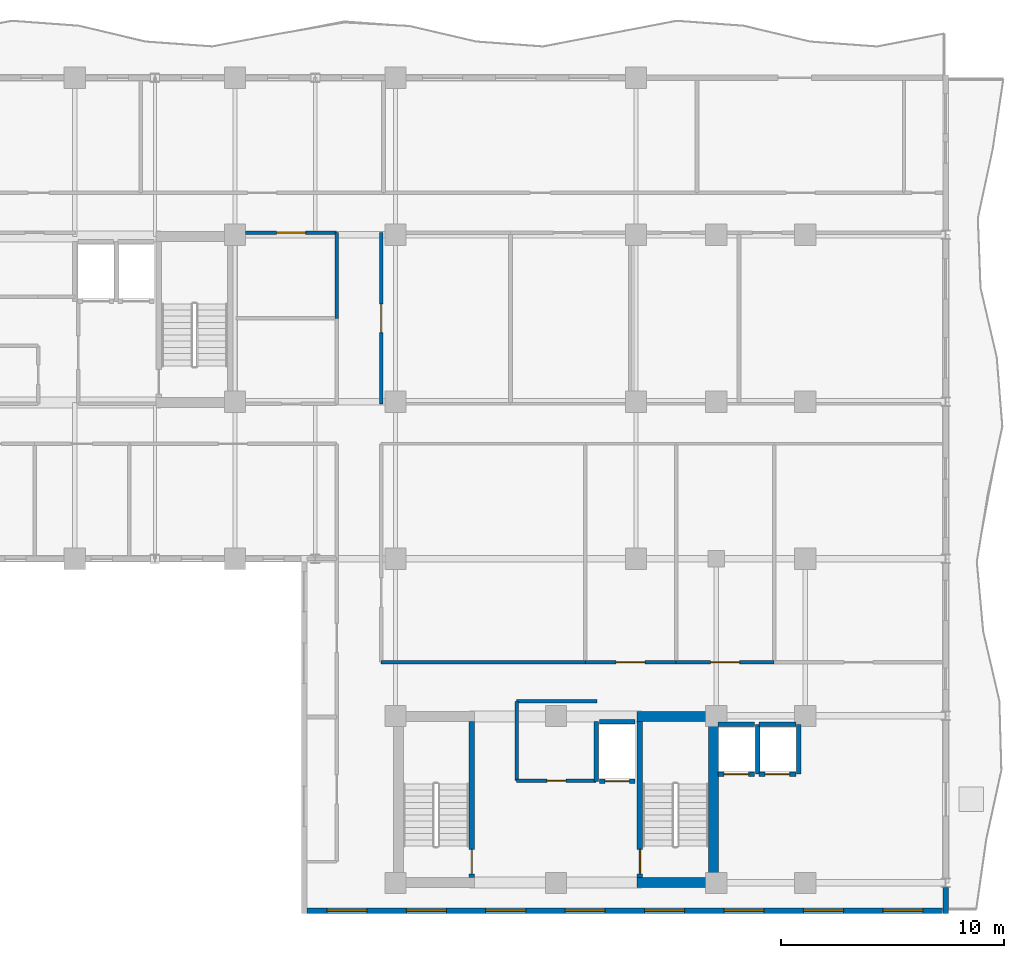
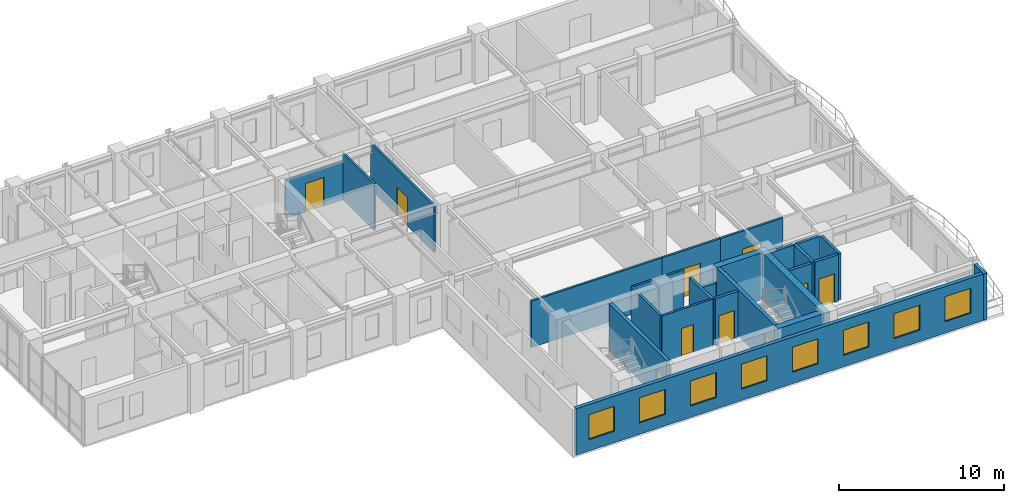
# One storey, part 14 of 20: 25 walls, 10 doors, 8 windows, 18 openings.
"""IFC4 building model written with IfcOpenShell, lengths in metres."""

from ifc_helpers import new_model, si_unit, direction, frame, frame_2d, origin, place, context, subcontext, project, spatial, rectangle, extrude, material, layer, layer_set, type_object, element, fill, save


model = new_model("IFC4")

# Units and contexts
model_context = context("Model", 3, precision=1e-05, world=origin(), true_north=direction((0.0, 1.0)))
body_context = subcontext(model_context, "Body", "Model", "MODEL_VIEW")
ifc_project = project(units=[si_unit("LENGTHUNIT", "METRE"), si_unit("AREAUNIT", "SQUARE_METRE"), si_unit("VOLUMEUNIT", "CUBIC_METRE"), si_unit("PLANEANGLEUNIT", "RADIAN"), si_unit("MASSUNIT", "GRAM", prefix="KILO")], contexts=[model_context])

# Site, building, storey
site_placement = place(None, origin())
site = spatial("IfcSite", under=ifc_project, at=site_placement, CompositionType="ELEMENT")
building_placement = place(site_placement, origin())
building = spatial("IfcBuilding", under=site, at=building_placement, Name="Kaliganga Portal Commons", CompositionType="ELEMENT")
storey_placement = place(building_placement, frame((0.0, 0.0, 201.800048828125)))
storey = spatial("IfcBuildingStorey", under=building, at=storey_placement, Name="L51", CompositionType="ELEMENT", Elevation=201.800048828125)

# Walls
ifc_material_1 = material(Name="Concrete C60/75", Category="concrete")
ifc_layer_1 = layer(ifc_material_1, 0.449951171875)
ifc_layer_set_1 = layer_set([ifc_layer_1], Name="Concrete C60/75")
wall_type_1 = type_object("IfcWallType", Name="WL-CORE-450", PredefinedType="SHEAR", material=ifc_layer_set_1)
wall_1_placement = place(storey_placement, frame((50.27490234375, 6.85009765625, 0.0), z_axis=(0.0, 0.0, 1.0), x_axis=(0.0, 1.0, 0.0)))
element("IfcWall", 1, at=wall_1_placement, inside=storey, type_object=wall_type_1, Name="Core B East Shear Wall L51", PredefinedType="SHEAR", context=body_context, shape_type="SweptSolid", body=[
    extrude(rectangle(XDim=7.89990234375, YDim=0.449951171875, at=frame_2d((3.949951171875, 0.0))), origin(), (0.0, 0.0, 1.0), 3.469970703125),
])
for number, where, z_axis, x_axis, name in (
    (2, (46.85009765625, 7.074951171875, 0.0), (0.0, 0.0, 1.0), (1.0, 0.0, 0.0), "Core B S-East Shear Wall L51"),
    (3, (46.85009765625, 14.52490234375, 0.0), (0.0, 0.0, 1.0), (1.0, 0.0, 0.0), "Core B N-East Shear Wall L51"),
):
    element("IfcWall", number, at=place(storey_placement, frame(where, z_axis=z_axis, x_axis=x_axis)), inside=storey, type_object=wall_type_1, Name=name, PredefinedType="SHEAR", context=body_context, shape_type="SweptSolid", body=[
        extrude(rectangle(XDim=3.199951171875, YDim=0.449951171875, at=frame_2d((1.60009765625, 0.0))), origin(), (0.0, 0.0, 1.0), 3.469970703125),
    ])

# Wall, openings, windows
ifc_material_2 = material(Name="Insulated Aluminium-Clad Spandrel Assembly", Category="aluminium")
ifc_layer_2 = layer(ifc_material_2, 0.260009765625)
ifc_layer_set_2 = layer_set([ifc_layer_2], Name="Insulated Aluminium-Clad Spandrel Assembly")
wall_type_2 = type_object("IfcWallType", Name="WL-EXT-SPAND-260", PredefinedType="STANDARD", material=ifc_layer_set_2)
wall_2_placement = place(storey_placement, frame((60.56494140625, 5.800048828125, 0.0), z_axis=(0.0, 0.0, 1.0), x_axis=(-1.0, 0.0, 0.0)))
wall_2 = element("IfcWall", 4, at=wall_2_placement, inside=storey, type_object=wall_type_2, Name="Exterior Envelope Wall L51 P1-E00-S1", PredefinedType="STANDARD", context=body_context, shape_type="SweptSolid", body=[
    extrude(rectangle(XDim=28.530029296875, YDim=0.260009765625, at=frame_2d((14.26513671875, 0.0))), origin(), (0.0, 0.0, 1.0), 3.449951171875),
])
opening_1_placement = place(wall_2_placement, frame((0.883056640625, 0.0, 0.85009765625)))
opening_1 = element("IfcOpeningElement", 5, at=opening_1_placement, cuts=wall_2, Name="Opening W-01", PredefinedType="OPENING", context=body_context, shape_type="SweptSolid", body=[
    extrude(rectangle(XDim=1.800048828125, YDim=1.85009765625, at=frame_2d((0.89990234375, 0.925048828125))), frame((0.0, 0.14013671875, 0.0), z_axis=(0.0, -1.0, 0.0), x_axis=(1.0, 0.0, 0.0)), (0.0, 0.0, 1.0), 0.280029296875),
])
opening_2_placement = place(wall_2_placement, frame((4.449462890625, 0.0, 0.85009765625)))
opening_2 = element("IfcOpeningElement", 6, at=opening_2_placement, cuts=wall_2, Name="Opening W-01", PredefinedType="OPENING", context=body_context, shape_type="SweptSolid", body=[
    extrude(rectangle(XDim=1.800048828125, YDim=1.85009765625, at=frame_2d((0.89990234375, 0.925048828125))), frame((0.0, 0.14013671875, 0.0), z_axis=(0.0, -1.0, 0.0), x_axis=(1.0, 0.0, 0.0)), (0.0, 0.0, 1.0), 0.280029296875),
])
opening_3_placement = place(wall_2_placement, frame((8.015625, 0.0, 0.85009765625)))
opening_3 = element("IfcOpeningElement", 7, at=opening_3_placement, cuts=wall_2, Name="Opening W-01", PredefinedType="OPENING", context=body_context, shape_type="SweptSolid", body=[
    extrude(rectangle(XDim=1.800048828125, YDim=1.85009765625, at=frame_2d((0.89990234375, 0.925048828125))), frame((0.0, 0.14013671875, 0.0), z_axis=(0.0, -1.0, 0.0), x_axis=(1.0, 0.0, 0.0)), (0.0, 0.0, 1.0), 0.280029296875),
])
opening_4_placement = place(wall_2_placement, frame((11.581787109375, 0.0, 0.85009765625)))
opening_4 = element("IfcOpeningElement", 8, at=opening_4_placement, cuts=wall_2, Name="Opening W-01", PredefinedType="OPENING", context=body_context, shape_type="SweptSolid", body=[
    extrude(rectangle(XDim=1.800048828125, YDim=1.85009765625, at=frame_2d((0.89990234375, 0.925048828125))), frame((0.0, 0.14013671875, 0.0), z_axis=(0.0, -1.0, 0.0), x_axis=(1.0, 0.0, 0.0)), (0.0, 0.0, 1.0), 0.280029296875),
])
opening_5_placement = place(wall_2_placement, frame((15.148193359375, 0.0, 0.85009765625)))
opening_5 = element("IfcOpeningElement", 9, at=opening_5_placement, cuts=wall_2, Name="Opening W-01", PredefinedType="OPENING", context=body_context, shape_type="SweptSolid", body=[
    extrude(rectangle(XDim=1.800048828125, YDim=1.85009765625, at=frame_2d((0.89990234375, 0.925048828125))), frame((0.0, 0.14013671875, 0.0), z_axis=(0.0, -1.0, 0.0), x_axis=(1.0, 0.0, 0.0)), (0.0, 0.0, 1.0), 0.280029296875),
])
opening_6_placement = place(wall_2_placement, frame((18.71435546875, 0.0, 0.85009765625)))
opening_6 = element("IfcOpeningElement", 10, at=opening_6_placement, cuts=wall_2, Name="Opening W-01", PredefinedType="OPENING", context=body_context, shape_type="SweptSolid", body=[
    extrude(rectangle(XDim=1.800048828125, YDim=1.85009765625, at=frame_2d((0.89990234375, 0.925048828125))), frame((0.0, 0.14013671875, 0.0), z_axis=(0.0, -1.0, 0.0), x_axis=(1.0, 0.0, 0.0)), (0.0, 0.0, 1.0), 0.280029296875),
])
opening_7_placement = place(wall_2_placement, frame((22.280517578125, 0.0, 0.85009765625)))
opening_7 = element("IfcOpeningElement", 11, at=opening_7_placement, cuts=wall_2, Name="Opening W-01", PredefinedType="OPENING", context=body_context, shape_type="SweptSolid", body=[
    extrude(rectangle(XDim=1.800048828125, YDim=1.85009765625, at=frame_2d((0.89990234375, 0.925048828125))), frame((0.0, 0.14013671875, 0.0), z_axis=(0.0, -1.0, 0.0), x_axis=(1.0, 0.0, 0.0)), (0.0, 0.0, 1.0), 0.280029296875),
])
opening_8_placement = place(wall_2_placement, frame((25.846923828125, 0.0, 0.85009765625)))
opening_8 = element("IfcOpeningElement", 12, at=opening_8_placement, cuts=wall_2, Name="Opening W-01", PredefinedType="OPENING", context=body_context, shape_type="SweptSolid", body=[
    extrude(rectangle(XDim=1.800048828125, YDim=1.85009765625, at=frame_2d((0.89990234375, 0.925048828125))), frame((0.0, 0.14013671875, 0.0), z_axis=(0.0, -1.0, 0.0), x_axis=(1.0, 0.0, 0.0)), (0.0, 0.0, 1.0), 0.280029296875),
])
ifc_material_3 = material(Name="Thermally Broken Aluminium and Low-E Double Glazing", Category="aluminium")
window_type = type_object("IfcWindowType", Name="WIN-STD-1800", PartitioningType="DOUBLE_PANEL_VERTICAL", PredefinedType="WINDOW", material=ifc_material_3)
window_1_placement = place(opening_1_placement, origin())
window_1 = element("IfcWindow", 13, at=window_1_placement, inside=storey, type_object=window_type, Name="Facade Window L51-P1E00S1-00", OverallHeight=1.85009765625, OverallWidth=1.800048828125, PartitioningType="SINGLE_PANEL", PredefinedType="WINDOW", context=body_context, shape_type="SweptSolid", body=[
    extrude(rectangle(XDim=1.800048828125, YDim=1.85009765625, at=frame_2d((0.89990234375, 0.925048828125))), frame((0.0, 0.030029296875, 0.0), z_axis=(0.0, -1.0, 0.0), x_axis=(1.0, 0.0, 0.0)), (0.0, 0.0, 1.0), 0.06005859375),
])
fill(opening_1, window_1)
window_2_placement = place(opening_2_placement, origin())
window_2 = element("IfcWindow", 14, at=window_2_placement, inside=storey, type_object=window_type, Name="Facade Window L51-P1E00S1-01", OverallHeight=1.85009765625, OverallWidth=1.800048828125, PartitioningType="SINGLE_PANEL", PredefinedType="WINDOW", context=body_context, shape_type="SweptSolid", body=[
    extrude(rectangle(XDim=1.800048828125, YDim=1.85009765625, at=frame_2d((0.89990234375, 0.925048828125))), frame((0.0, 0.030029296875, 0.0), z_axis=(0.0, -1.0, 0.0), x_axis=(1.0, 0.0, 0.0)), (0.0, 0.0, 1.0), 0.06005859375),
])
fill(opening_2, window_2)
window_3_placement = place(opening_3_placement, origin())
window_3 = element("IfcWindow", 15, at=window_3_placement, inside=storey, type_object=window_type, Name="Facade Window L51-P1E00S1-02", OverallHeight=1.85009765625, OverallWidth=1.800048828125, PartitioningType="SINGLE_PANEL", PredefinedType="WINDOW", context=body_context, shape_type="SweptSolid", body=[
    extrude(rectangle(XDim=1.800048828125, YDim=1.85009765625, at=frame_2d((0.89990234375, 0.925048828125))), frame((0.0, 0.030029296875, 0.0), z_axis=(0.0, -1.0, 0.0), x_axis=(1.0, 0.0, 0.0)), (0.0, 0.0, 1.0), 0.06005859375),
])
fill(opening_3, window_3)
window_4_placement = place(opening_4_placement, origin())
window_4 = element("IfcWindow", 16, at=window_4_placement, inside=storey, type_object=window_type, Name="Facade Window L51-P1E00S1-03", OverallHeight=1.85009765625, OverallWidth=1.800048828125, PartitioningType="SINGLE_PANEL", PredefinedType="WINDOW", context=body_context, shape_type="SweptSolid", body=[
    extrude(rectangle(XDim=1.800048828125, YDim=1.85009765625, at=frame_2d((0.89990234375, 0.925048828125))), frame((0.0, 0.030029296875, 0.0), z_axis=(0.0, -1.0, 0.0), x_axis=(1.0, 0.0, 0.0)), (0.0, 0.0, 1.0), 0.06005859375),
])
fill(opening_4, window_4)
window_5_placement = place(opening_5_placement, origin())
window_5 = element("IfcWindow", 17, at=window_5_placement, inside=storey, type_object=window_type, Name="Facade Window L51-P1E00S1-04", OverallHeight=1.85009765625, OverallWidth=1.800048828125, PartitioningType="SINGLE_PANEL", PredefinedType="WINDOW", context=body_context, shape_type="SweptSolid", body=[
    extrude(rectangle(XDim=1.800048828125, YDim=1.85009765625, at=frame_2d((0.89990234375, 0.925048828125))), frame((0.0, 0.030029296875, 0.0), z_axis=(0.0, -1.0, 0.0), x_axis=(1.0, 0.0, 0.0)), (0.0, 0.0, 1.0), 0.06005859375),
])
fill(opening_5, window_5)
window_6_placement = place(opening_6_placement, origin())
window_6 = element("IfcWindow", 18, at=window_6_placement, inside=storey, type_object=window_type, Name="Facade Window L51-P1E00S1-05", OverallHeight=1.85009765625, OverallWidth=1.800048828125, PartitioningType="SINGLE_PANEL", PredefinedType="WINDOW", context=body_context, shape_type="SweptSolid", body=[
    extrude(rectangle(XDim=1.800048828125, YDim=1.85009765625, at=frame_2d((0.89990234375, 0.925048828125))), frame((0.0, 0.030029296875, 0.0), z_axis=(0.0, -1.0, 0.0), x_axis=(1.0, 0.0, 0.0)), (0.0, 0.0, 1.0), 0.06005859375),
])
fill(opening_6, window_6)
window_7_placement = place(opening_7_placement, origin())
window_7 = element("IfcWindow", 19, at=window_7_placement, inside=storey, type_object=window_type, Name="Facade Window L51-P1E00S1-06", OverallHeight=1.85009765625, OverallWidth=1.800048828125, PartitioningType="SINGLE_PANEL", PredefinedType="WINDOW", context=body_context, shape_type="SweptSolid", body=[
    extrude(rectangle(XDim=1.800048828125, YDim=1.85009765625, at=frame_2d((0.89990234375, 0.925048828125))), frame((0.0, 0.030029296875, 0.0), z_axis=(0.0, -1.0, 0.0), x_axis=(1.0, 0.0, 0.0)), (0.0, 0.0, 1.0), 0.06005859375),
])
fill(opening_7, window_7)
window_8_placement = place(opening_8_placement, origin())
window_8 = element("IfcWindow", 20, at=window_8_placement, inside=storey, type_object=window_type, Name="Facade Window L51-P1E00S1-07", OverallHeight=1.85009765625, OverallWidth=1.800048828125, PartitioningType="SINGLE_PANEL", PredefinedType="WINDOW", context=body_context, shape_type="SweptSolid", body=[
    extrude(rectangle(XDim=1.800048828125, YDim=1.85009765625, at=frame_2d((0.89990234375, 0.925048828125))), frame((0.0, 0.030029296875, 0.0), z_axis=(0.0, -1.0, 0.0), x_axis=(1.0, 0.0, 0.0)), (0.0, 0.0, 1.0), 0.06005859375),
])
fill(opening_8, window_8)

# Walls
wall_3_placement = place(storey_placement, frame((60.699951171875, 6.84912109375, 0.0), z_axis=(0.0, 0.0, 1.0), x_axis=(0.0, -1.0, 0.0)))
element("IfcWall", 21, at=wall_3_placement, inside=storey, type_object=wall_type_2, Name="Exterior Envelope Wall L51 P1-E01-S1", PredefinedType="STANDARD", context=body_context, shape_type="SweptSolid", body=[
    extrude(rectangle(XDim=1.17919921875, YDim=0.260009765625, at=frame_2d((0.589599609375, 0.0))), origin(), (0.0, 0.0, 1.0), 3.449951171875),
])
ifc_material_4 = material(Name="Fire-Rated Gypsum Board on Steel Stud", Category="steel")
ifc_layer_3 = layer(ifc_material_4, 0.14990234375)
ifc_layer_set_3 = layer_set([ifc_layer_3], Name="Fire-Rated Gypsum Board on Steel Stud")
wall_type_3 = type_object("IfcWallType", Name="WL-PART-CORR-150", PredefinedType="PARTITIONING", material=ifc_layer_set_3)
wall_4_placement = place(storey_placement, frame((35.360107421875, 16.9599609375, 0.0), z_axis=(0.0, 0.0, 1.0), x_axis=(1.0, 0.0, 0.0)))
element("IfcWall", 22, at=wall_4_placement, inside=storey, type_object=wall_type_3, Name="Interior Partition L51-014", PredefinedType="PARTITIONING", context=body_context, shape_type="SweptSolid", body=[
    extrude(rectangle(XDim=9.159912109375, YDim=0.14990234375, at=frame_2d((4.580078125, 0.0))), origin(), (0.0, 0.0, 1.0), 3.449951171875),
])

# Wall, opening, door
wall_5_placement = place(storey_placement, frame((35.360107421875, 28.56005859375, 0.0), z_axis=(0.0, 0.0, 1.0), x_axis=(0.0, 1.0, 0.0)))
wall_5 = element("IfcWall", 23, at=wall_5_placement, inside=storey, type_object=wall_type_3, Name="Interior Partition L51-018", PredefinedType="PARTITIONING", context=body_context, shape_type="SweptSolid", body=[
    extrude(rectangle(XDim=7.679931640625, YDim=0.14990234375, at=frame_2d((3.83984375, 0.0))), origin(), (0.0, 0.0, 1.0), 3.449951171875),
])
opening_9_placement = place(wall_5_placement, frame((3.18994140625, 0.0, 0.0)))
opening_9 = element("IfcOpeningElement", 24, at=opening_9_placement, cuts=wall_5, Name="Opening RD-03", PredefinedType="OPENING", context=body_context, shape_type="SweptSolid", body=[
    extrude(rectangle(XDim=1.300048828125, YDim=2.1201171875, at=frame_2d((0.64990234375, 1.06005859375))), frame((0.0, 0.0849609375, 0.0), z_axis=(0.0, -1.0, 0.0), x_axis=(1.0, 0.0, 0.0)), (0.0, 0.0, 1.0), 0.169921875),
])
ifc_material_5 = material(Name="Glazed Timber Seminar Vision Door", Category="wood")
door_type_1 = type_object("IfcDoorType", Name="DR-STUDY-1300", OperationType="DOUBLE_DOOR_SINGLE_SWING", PredefinedType="DOOR", material=ifc_material_5)
door_1_placement = place(opening_9_placement, origin())
door_1 = element("IfcDoor", 25, at=door_1_placement, inside=storey, type_object=door_type_1, Name="Interior Door L51-BK01", OperationType="DOUBLE_DOOR_SINGLE_SWING", OverallHeight=2.1201171875, OverallWidth=1.300048828125, PredefinedType="DOOR", context=body_context, shape_type="SweptSolid", body=[
    extrude(rectangle(XDim=1.300048828125, YDim=2.1201171875, at=frame_2d((0.64990234375, 1.06005859375))), frame((0.0, 0.02490234375, 0.0), z_axis=(0.0, -1.0, 0.0), x_axis=(1.0, 0.0, 0.0)), (0.0, 0.0, 1.0), 0.050048828125),
])
fill(opening_9, door_1)

wall_6_placement = place(storey_placement, frame((29.27490234375, 36.239990234375, 0.0), z_axis=(0.0, 0.0, 1.0), x_axis=(1.0, 0.0, 0.0)))
wall_6 = element("IfcWall", 26, at=wall_6_placement, inside=storey, type_object=wall_type_3, Name="Interior Partition L51-028", PredefinedType="PARTITIONING", context=body_context, shape_type="SweptSolid", body=[
    extrude(rectangle(XDim=4.085205078125, YDim=0.14990234375, at=frame_2d((2.04248046875, 0.0))), origin(), (0.0, 0.0, 1.0), 2.849853515625),
])
opening_10_placement = place(wall_6_placement, frame((1.392578125, 0.0, 0.0)))
opening_10 = element("IfcOpeningElement", 27, at=opening_10_placement, cuts=wall_6, Name="Opening RD-03", PredefinedType="OPENING", context=body_context, shape_type="SweptSolid", body=[
    extrude(rectangle(XDim=1.300048828125, YDim=2.1201171875, at=frame_2d((0.64990234375, 1.06005859375))), frame((0.0, 0.0849609375, 0.0), z_axis=(0.0, -1.0, 0.0), x_axis=(1.0, 0.0, 0.0)), (0.0, 0.0, 1.0), 0.169921875),
])
door_2_placement = place(opening_10_placement, origin())
door_2 = element("IfcDoor", 28, at=door_2_placement, inside=storey, type_object=door_type_1, Name="Interior Door L51-CSRV_A2", OperationType="DOUBLE_DOOR_SINGLE_SWING", OverallHeight=2.1201171875, OverallWidth=1.300048828125, PredefinedType="DOOR", context=body_context, shape_type="SweptSolid", body=[
    extrude(rectangle(XDim=1.300048828125, YDim=2.1201171875, at=frame_2d((0.64990234375, 1.06005859375))), frame((0.0, 0.02490234375, 0.0), z_axis=(0.0, -1.0, 0.0), x_axis=(1.0, 0.0, 0.0)), (0.0, 0.0, 1.0), 0.050048828125),
])
fill(opening_10, door_2)

wall_7_placement = place(storey_placement, frame((48.60009765625, 16.9599609375, 0.0), z_axis=(0.0, 0.0, 1.0), x_axis=(1.0, 0.0, 0.0)))
wall_7 = element("IfcWall", 29, at=wall_7_placement, inside=storey, type_object=wall_type_3, Name="Interior Partition L51-029", PredefinedType="PARTITIONING", context=body_context, shape_type="SweptSolid", body=[
    extrude(rectangle(XDim=4.39990234375, YDim=0.14990234375, at=frame_2d((2.199951171875, 0.0))), origin(), (0.0, 0.0, 1.0), 3.449951171875),
])
opening_11_placement = place(wall_7_placement, frame((1.550048828125, 0.0, 0.0)))
opening_11 = element("IfcOpeningElement", 30, at=opening_11_placement, cuts=wall_7, Name="Opening RD-03", PredefinedType="OPENING", context=body_context, shape_type="SweptSolid", body=[
    extrude(rectangle(XDim=1.300048828125, YDim=2.1201171875, at=frame_2d((0.64990234375, 1.06005859375))), frame((0.0, 0.0849609375, 0.0), z_axis=(0.0, -1.0, 0.0), x_axis=(1.0, 0.0, 0.0)), (0.0, 0.0, 1.0), 0.169921875),
])
door_3_placement = place(opening_11_placement, origin())
door_3 = element("IfcDoor", 31, at=door_3_placement, inside=storey, type_object=door_type_1, Name="Interior Door L51-BM02B", OperationType="DOUBLE_DOOR_SINGLE_SWING", OverallHeight=2.1201171875, OverallWidth=1.300048828125, PredefinedType="DOOR", context=body_context, shape_type="SweptSolid", body=[
    extrude(rectangle(XDim=1.300048828125, YDim=2.1201171875, at=frame_2d((0.64990234375, 1.06005859375))), frame((0.0, 0.02490234375, 0.0), z_axis=(0.0, -1.0, 0.0), x_axis=(1.0, 0.0, 0.0)), (0.0, 0.0, 1.0), 0.050048828125),
])
fill(opening_11, door_3)

wall_8_placement = place(storey_placement, frame((44.52001953125, 16.9599609375, 0.0), z_axis=(0.0, 0.0, 1.0), x_axis=(1.0, 0.0, 0.0)))
wall_8 = element("IfcWall", 32, at=wall_8_placement, inside=storey, type_object=wall_type_3, Name="Interior Partition L51-031", PredefinedType="PARTITIONING", context=body_context, shape_type="SweptSolid", body=[
    extrude(rectangle(XDim=4.080078125, YDim=0.14990234375, at=frame_2d((2.0400390625, 0.0))), origin(), (0.0, 0.0, 1.0), 3.449951171875),
])
opening_12_placement = place(wall_8_placement, frame((1.389892578125, 0.0, 0.0)))
opening_12 = element("IfcOpeningElement", 33, at=opening_12_placement, cuts=wall_8, Name="Opening RD-03", PredefinedType="OPENING", context=body_context, shape_type="SweptSolid", body=[
    extrude(rectangle(XDim=1.300048828125, YDim=2.1201171875, at=frame_2d((0.64990234375, 1.06005859375))), frame((0.0, 0.0849609375, 0.0), z_axis=(0.0, -1.0, 0.0), x_axis=(1.0, 0.0, 0.0)), (0.0, 0.0, 1.0), 0.169921875),
])
door_4_placement = place(opening_12_placement, origin())
door_4 = element("IfcDoor", 34, at=door_4_placement, inside=storey, type_object=door_type_1, Name="Interior Door L51-BM02", OperationType="DOUBLE_DOOR_SINGLE_SWING", OverallHeight=2.1201171875, OverallWidth=1.300048828125, PredefinedType="DOOR", context=body_context, shape_type="SweptSolid", body=[
    extrude(rectangle(XDim=1.300048828125, YDim=2.1201171875, at=frame_2d((0.64990234375, 1.06005859375))), frame((0.0, 0.02490234375, 0.0), z_axis=(0.0, -1.0, 0.0), x_axis=(1.0, 0.0, 0.0)), (0.0, 0.0, 1.0), 0.050048828125),
])
fill(opening_12, door_4)

# Wall
wall_9_placement = place(storey_placement, frame((33.360107421875, 32.39990234375, 0.0), z_axis=(0.0, 0.0, 1.0), x_axis=(0.0, 1.0, 0.0)))
element("IfcWall", 35, at=wall_9_placement, inside=storey, type_object=wall_type_3, Name="Interior Partition L51-033", PredefinedType="PARTITIONING", context=body_context, shape_type="SweptSolid", body=[
    extrude(rectangle(XDim=3.840087890625, YDim=0.14990234375, at=frame_2d((1.919921875, 0.0))), origin(), (0.0, 0.0, 1.0), 3.449951171875),
])

# Wall, opening, door
wall_10_placement = place(storey_placement, frame((41.43994140625, 11.639892578125, 0.0), z_axis=(0.0, 0.0, 1.0), x_axis=(1.0, 0.0, 0.0)))
wall_10 = element("IfcWall", 36, at=wall_10_placement, inside=storey, type_object=wall_type_3, Name="Interior Partition L51-036", PredefinedType="PARTITIONING", context=body_context, shape_type="SweptSolid", body=[
    extrude(rectangle(XDim=3.570068359375, YDim=0.14990234375, at=frame_2d((1.78515625, 0.0))), origin(), (0.0, 0.0, 1.0), 3.449951171875),
])
opening_13_placement = place(wall_10_placement, frame((1.360107421875, 0.0, 0.0)))
opening_13 = element("IfcOpeningElement", 37, at=opening_13_placement, cuts=wall_10, Name="Opening WD-01", PredefinedType="OPENING", context=body_context, shape_type="SweptSolid", body=[
    extrude(rectangle(XDim=0.85009765625, YDim=2.0400390625, at=frame_2d((0.425048828125, 1.02001953125))), frame((0.0, 0.0849609375, 0.0), z_axis=(0.0, -1.0, 0.0), x_axis=(1.0, 0.0, 0.0)), (0.0, 0.0, 1.0), 0.169921875),
])
ifc_material_6 = material(Name="Moisture-Resistant Laminate Timber Door", Category="wood")
door_type_2 = type_object("IfcDoorType", Name="DR-WET-850", OperationType="NOTDEFINED", PredefinedType="DOOR", material=ifc_material_6)
door_5_placement = place(opening_13_placement, origin())
door_5 = element("IfcDoor", 38, at=door_5_placement, inside=storey, type_object=door_type_2, Name="Interior Door L51-CREC_B1", OperationType="SINGLE_SWING_RIGHT", OverallHeight=2.0400390625, OverallWidth=0.85009765625, PredefinedType="DOOR", context=body_context, shape_type="SweptSolid", body=[
    extrude(rectangle(XDim=0.85009765625, YDim=2.0400390625, at=frame_2d((0.425048828125, 1.02001953125))), frame((0.0, 0.02490234375, 0.0), z_axis=(0.0, -1.0, 0.0), x_axis=(1.0, 0.0, 0.0)), (0.0, 0.0, 1.0), 0.050048828125),
])
fill(opening_13, door_5)

# Walls
wall_11_placement = place(storey_placement, frame((41.43994140625, 15.199951171875, 0.0), z_axis=(0.0, 0.0, 1.0), x_axis=(1.0, 0.0, 0.0)))
element("IfcWall", 39, at=wall_11_placement, inside=storey, type_object=wall_type_3, Name="Interior Partition L51-037", PredefinedType="PARTITIONING", context=body_context, shape_type="SweptSolid", body=[
    extrude(rectangle(XDim=3.60009765625, YDim=0.14990234375, at=frame_2d((1.800048828125, 0.0))), origin(), (0.0, 0.0, 1.0), 3.449951171875),
])
wall_12_placement = place(storey_placement, frame((41.43994140625, 11.639892578125, 0.0), z_axis=(0.0, 0.0, 1.0), x_axis=(0.0, 1.0, 0.0)))
element("IfcWall", 40, at=wall_12_placement, inside=storey, type_object=wall_type_3, Name="Interior Partition L51-038", PredefinedType="PARTITIONING", context=body_context, shape_type="SweptSolid", body=[
    extrude(rectangle(XDim=3.56005859375, YDim=0.14990234375, at=frame_2d((1.780029296875, 0.0))), origin(), (0.0, 0.0, 1.0), 3.449951171875),
])

# Wall, opening, door
ifc_material_7 = material(Name="Fire-Rated Shaftwall Masonry Assembly", Category="masonry")
ifc_layer_4 = layer(ifc_material_7, 0.199951171875)
ifc_layer_set_4 = layer_set([ifc_layer_4], Name="Fire-Rated Shaftwall Masonry Assembly")
wall_type_4 = type_object("IfcWallType", Name="WL-SHAFT-200", PredefinedType="PARTITIONING", material=ifc_layer_set_4)
wall_13_placement = place(storey_placement, frame((50.47509765625, 11.93505859375, 0.0), z_axis=(0.0, 0.0, 1.0), x_axis=(1.0, 0.0, 0.0)))
wall_13 = element("IfcWall", 41, at=wall_13_placement, inside=storey, type_object=wall_type_4, Name="Lift PL-B3 Hoistway Shaft Wall L51-S", PredefinedType="PARTITIONING", context=body_context, shape_type="SweptSolid", body=[
    extrude(rectangle(XDim=1.64990234375, YDim=0.199951171875, at=frame_2d((0.824951171875, 0.0))), origin(), (0.0, 0.0, 1.0), 3.449951171875),
])
opening_14_placement = place(wall_13_placement, frame((0.27490234375, 0.0, 0.0)))
opening_14 = element("IfcOpeningElement", 42, at=opening_14_placement, cuts=wall_13, Name="Opening LD-01", PredefinedType="OPENING", context=body_context, shape_type="SweptSolid", body=[
    extrude(rectangle(XDim=1.10009765625, YDim=2.1201171875, at=frame_2d((0.550048828125, 1.06005859375))), frame((0.0, 0.10986328125, 0.0), z_axis=(0.0, -1.0, 0.0), x_axis=(1.0, 0.0, 0.0)), (0.0, 0.0, 1.0), 0.219970703125),
])
ifc_material_8 = material(Name="Brushed Stainless Steel 316 Lift Landing Door", Category="steel")
door_type_3 = type_object("IfcDoorType", Name="DR-LIFT-1100", OperationType="SLIDING_TO_LEFT", PredefinedType="DOOR", material=ifc_material_8)
door_6_placement = place(opening_14_placement, origin())
door_6 = element("IfcDoor", 43, at=door_6_placement, inside=storey, type_object=door_type_3, Name="Lift PL-B3 Sliding Landing Door L51", OperationType="SLIDING_TO_LEFT", OverallHeight=2.1201171875, OverallWidth=1.10009765625, PredefinedType="DOOR", context=body_context, shape_type="SweptSolid", body=[
    extrude(rectangle(XDim=1.10009765625, YDim=2.1201171875, at=frame_2d((0.550048828125, 1.06005859375))), frame((0.0, 0.02490234375, 0.0), z_axis=(0.0, -1.0, 0.0), x_axis=(1.0, 0.0, 0.0)), (0.0, 0.0, 1.0), 0.050048828125),
])
fill(opening_14, door_6)

# Walls
wall_14_placement = place(storey_placement, frame((50.47509765625, 14.1650390625, 0.0), z_axis=(0.0, 0.0, 1.0), x_axis=(1.0, 0.0, 0.0)))
element("IfcWall", 44, at=wall_14_placement, inside=storey, type_object=wall_type_4, Name="Lift PL-B3 Hoistway Shaft Wall L51-N", PredefinedType="PARTITIONING", context=body_context, shape_type="SweptSolid", body=[
    extrude(rectangle(XDim=1.64990234375, YDim=0.199951171875, at=frame_2d((0.824951171875, 0.0))), origin(), (0.0, 0.0, 1.0), 3.449951171875),
])
wall_15_placement = place(storey_placement, frame((52.264892578125, 11.93505859375, 0.0), z_axis=(0.0, 0.0, 1.0), x_axis=(0.0, 1.0, 0.0)))
element("IfcWall", 45, at=wall_15_placement, inside=storey, type_object=wall_type_4, Name="Lift PL-B3 Hoistway Shaft Wall L51-E", PredefinedType="PARTITIONING", context=body_context, shape_type="SweptSolid", body=[
    extrude(rectangle(XDim=2.22998046875, YDim=0.199951171875, at=frame_2d((1.114990234375, 0.0))), origin(), (0.0, 0.0, 1.0), 3.449951171875),
])

# Wall, opening, door
wall_16_placement = place(storey_placement, frame((52.324951171875, 11.93505859375, 0.0), z_axis=(0.0, 0.0, 1.0), x_axis=(1.0, 0.0, 0.0)))
wall_16 = element("IfcWall", 46, at=wall_16_placement, inside=storey, type_object=wall_type_4, Name="Lift PL-B4 Hoistway Shaft Wall L51-S", PredefinedType="PARTITIONING", context=body_context, shape_type="SweptSolid", body=[
    extrude(rectangle(XDim=1.650146484375, YDim=0.199951171875, at=frame_2d((0.8251953125, 0.0))), origin(), (0.0, 0.0, 1.0), 3.449951171875),
])
opening_15_placement = place(wall_16_placement, frame((0.27490234375, 0.0, 0.0)))
opening_15 = element("IfcOpeningElement", 47, at=opening_15_placement, cuts=wall_16, Name="Opening LD-01", PredefinedType="OPENING", context=body_context, shape_type="SweptSolid", body=[
    extrude(rectangle(XDim=1.10009765625, YDim=2.1201171875, at=frame_2d((0.550048828125, 1.06005859375))), frame((0.0, 0.10986328125, 0.0), z_axis=(0.0, -1.0, 0.0), x_axis=(1.0, 0.0, 0.0)), (0.0, 0.0, 1.0), 0.219970703125),
])
door_7_placement = place(opening_15_placement, origin())
door_7 = element("IfcDoor", 48, at=door_7_placement, inside=storey, type_object=door_type_3, Name="Lift PL-B4 Sliding Landing Door L51", OperationType="SLIDING_TO_LEFT", OverallHeight=2.1201171875, OverallWidth=1.10009765625, PredefinedType="DOOR", context=body_context, shape_type="SweptSolid", body=[
    extrude(rectangle(XDim=1.10009765625, YDim=2.1201171875, at=frame_2d((0.550048828125, 1.06005859375))), frame((0.0, 0.02490234375, 0.0), z_axis=(0.0, -1.0, 0.0), x_axis=(1.0, 0.0, 0.0)), (0.0, 0.0, 1.0), 0.050048828125),
])
fill(opening_15, door_7)

# Walls
wall_17_placement = place(storey_placement, frame((52.324951171875, 14.1650390625, 0.0), z_axis=(0.0, 0.0, 1.0), x_axis=(1.0, 0.0, 0.0)))
element("IfcWall", 49, at=wall_17_placement, inside=storey, type_object=wall_type_4, Name="Lift PL-B4 Hoistway Shaft Wall L51-N", PredefinedType="PARTITIONING", context=body_context, shape_type="SweptSolid", body=[
    extrude(rectangle(XDim=1.650146484375, YDim=0.199951171875, at=frame_2d((0.8251953125, 0.0))), origin(), (0.0, 0.0, 1.0), 3.449951171875),
])
wall_18_placement = place(storey_placement, frame((54.114990234375, 11.93505859375, 0.0), z_axis=(0.0, 0.0, 1.0), x_axis=(0.0, 1.0, 0.0)))
element("IfcWall", 50, at=wall_18_placement, inside=storey, type_object=wall_type_4, Name="Lift PL-B4 Hoistway Shaft Wall L51-E", PredefinedType="PARTITIONING", context=body_context, shape_type="SweptSolid", body=[
    extrude(rectangle(XDim=2.22998046875, YDim=0.199951171875, at=frame_2d((1.114990234375, 0.0))), origin(), (0.0, 0.0, 1.0), 3.449951171875),
])

# Wall, opening, door
wall_19_placement = place(storey_placement, frame((45.14990234375, 11.610107421875, 0.0), z_axis=(0.0, 0.0, 1.0), x_axis=(1.0, 0.0, 0.0)))
wall_19 = element("IfcWall", 51, at=wall_19_placement, inside=storey, type_object=wall_type_4, Name="Lift SL-B1 Hoistway Shaft Wall L51-S", PredefinedType="PARTITIONING", context=body_context, shape_type="SweptSolid", body=[
    extrude(rectangle(XDim=1.60009765625, YDim=0.199951171875, at=frame_2d((0.800048828125, 0.0))), origin(), (0.0, 0.0, 1.0), 3.449951171875),
])
opening_16_placement = place(wall_19_placement, frame((0.25, 0.0, 0.0)))
opening_16 = element("IfcOpeningElement", 52, at=opening_16_placement, cuts=wall_19, Name="Opening LD-01", PredefinedType="OPENING", context=body_context, shape_type="SweptSolid", body=[
    extrude(rectangle(XDim=1.10009765625, YDim=2.1201171875, at=frame_2d((0.550048828125, 1.06005859375))), frame((0.0, 0.10986328125, 0.0), z_axis=(0.0, -1.0, 0.0), x_axis=(1.0, 0.0, 0.0)), (0.0, 0.0, 1.0), 0.219970703125),
])
door_8_placement = place(opening_16_placement, origin())
door_8 = element("IfcDoor", 53, at=door_8_placement, inside=storey, type_object=door_type_3, Name="Lift SL-B1 Sliding Landing Door L51", OperationType="SLIDING_TO_LEFT", OverallHeight=2.1201171875, OverallWidth=1.10009765625, PredefinedType="DOOR", context=body_context, shape_type="SweptSolid", body=[
    extrude(rectangle(XDim=1.10009765625, YDim=2.1201171875, at=frame_2d((0.550048828125, 1.06005859375))), frame((0.0, 0.02490234375, 0.0), z_axis=(0.0, -1.0, 0.0), x_axis=(1.0, 0.0, 0.0)), (0.0, 0.0, 1.0), 0.050048828125),
])
fill(opening_16, door_8)

# Walls
wall_20_placement = place(storey_placement, frame((45.14990234375, 14.2900390625, 0.0), z_axis=(0.0, 0.0, 1.0), x_axis=(1.0, 0.0, 0.0)))
element("IfcWall", 54, at=wall_20_placement, inside=storey, type_object=wall_type_4, Name="Lift SL-B1 Hoistway Shaft Wall L51-N", PredefinedType="PARTITIONING", context=body_context, shape_type="SweptSolid", body=[
    extrude(rectangle(XDim=1.60009765625, YDim=0.199951171875, at=frame_2d((0.800048828125, 0.0))), origin(), (0.0, 0.0, 1.0), 2.449951171875),
])
wall_21_placement = place(storey_placement, frame((45.010009765625, 11.610107421875, 0.0), z_axis=(0.0, 0.0, 1.0), x_axis=(0.0, 1.0, 0.0)))
element("IfcWall", 55, at=wall_21_placement, inside=storey, type_object=wall_type_4, Name="Lift SL-B1 Hoistway Shaft Wall L51-W", PredefinedType="PARTITIONING", context=body_context, shape_type="SweptSolid", body=[
    extrude(rectangle(XDim=2.679931640625, YDim=0.199951171875, at=frame_2d((1.33984375, 0.0))), origin(), (0.0, 0.0, 1.0), 3.449951171875),
])

# Wall, opening, door
ifc_material_9 = material(Name="Concrete C50/60", Category="concrete")
ifc_layer_5 = layer(ifc_material_9, 0.25)
ifc_layer_set_5 = layer_set([ifc_layer_5], Name="Concrete C50/60")
wall_type_5 = type_object("IfcWallType", Name="WL-STAIR-250", PredefinedType="SHEAR", material=ifc_layer_set_5)
wall_22_placement = place(storey_placement, frame((39.425048828125, 7.300048828125, 0.0), z_axis=(0.0, 0.0, 1.0), x_axis=(0.0, 1.0, 0.0)))
wall_22 = element("IfcWall", 56, at=wall_22_placement, inside=storey, type_object=wall_type_5, Name="Stair B1 Enclosure Shear Wall L51", PredefinedType="SHEAR", context=body_context, shape_type="SweptSolid", body=[
    extrude(rectangle(XDim=7.0, YDim=0.25, at=frame_2d((3.5, 0.0))), origin(), (0.0, 0.0, 1.0), 3.469970703125),
])
opening_17_placement = place(wall_22_placement, frame((0.14990234375, 0.0, 0.0)))
opening_17 = element("IfcOpeningElement", 57, at=opening_17_placement, cuts=wall_22, Name="Opening SD-01", PredefinedType="OPENING", context=body_context, shape_type="SweptSolid", body=[
    extrude(rectangle(XDim=1.10009765625, YDim=2.080078125, at=frame_2d((0.550048828125, 1.0400390625))), frame((0.0, 0.135009765625, 0.0), z_axis=(0.0, -1.0, 0.0), x_axis=(1.0, 0.0, 0.0)), (0.0, 0.0, 1.0), 0.27001953125),
])
ifc_material_10 = material(Name="Galvanized Steel Fire Door Leaf and Frame", Category="steel")
door_type_4 = type_object("IfcDoorType", Name="DR-STAIR-1100", OperationType="NOTDEFINED", PredefinedType="DOOR", material=ifc_material_10)
door_9_placement = place(opening_17_placement, origin())
door_9 = element("IfcDoor", 58, at=door_9_placement, inside=storey, type_object=door_type_4, Name="Protected Stair ST-B1 Fire Door L51", OperationType="SINGLE_SWING_LEFT", OverallHeight=2.080078125, OverallWidth=1.10009765625, PredefinedType="DOOR", context=body_context, shape_type="SweptSolid", body=[
    extrude(rectangle(XDim=1.10009765625, YDim=2.080078125, at=frame_2d((0.550048828125, 1.0400390625))), frame((0.0, 0.02490234375, 0.0), z_axis=(0.0, -1.0, 0.0), x_axis=(1.0, 0.0, 0.0)), (0.0, 0.0, 1.0), 0.050048828125),
])
fill(opening_17, door_9)

wall_23_placement = place(storey_placement, frame((46.97509765625, 7.300048828125, 0.0), z_axis=(0.0, 0.0, 1.0), x_axis=(0.0, 1.0, 0.0)))
wall_23 = element("IfcWall", 59, at=wall_23_placement, inside=storey, type_object=wall_type_5, Name="Stair B2 Enclosure Shear Wall L51", PredefinedType="SHEAR", context=body_context, shape_type="SweptSolid", body=[
    extrude(rectangle(XDim=7.0, YDim=0.25, at=frame_2d((3.5, 0.0))), origin(), (0.0, 0.0, 1.0), 3.469970703125),
])
opening_18_placement = place(wall_23_placement, frame((0.14990234375, 0.0, 0.0)))
opening_18 = element("IfcOpeningElement", 60, at=opening_18_placement, cuts=wall_23, Name="Opening SD-01", PredefinedType="OPENING", context=body_context, shape_type="SweptSolid", body=[
    extrude(rectangle(XDim=1.10009765625, YDim=2.080078125, at=frame_2d((0.550048828125, 1.0400390625))), frame((0.0, 0.135009765625, 0.0), z_axis=(0.0, -1.0, 0.0), x_axis=(1.0, 0.0, 0.0)), (0.0, 0.0, 1.0), 0.27001953125),
])
door_10_placement = place(opening_18_placement, origin())
door_10 = element("IfcDoor", 61, at=door_10_placement, inside=storey, type_object=door_type_4, Name="Protected Stair ST-B2 Fire Door L51", OperationType="SINGLE_SWING_RIGHT", OverallHeight=2.080078125, OverallWidth=1.10009765625, PredefinedType="DOOR", context=body_context, shape_type="SweptSolid", body=[
    extrude(rectangle(XDim=1.10009765625, YDim=2.080078125, at=frame_2d((0.550048828125, 1.0400390625))), frame((0.0, 0.02490234375, 0.0), z_axis=(0.0, -1.0, 0.0), x_axis=(1.0, 0.0, 0.0)), (0.0, 0.0, 1.0), 0.050048828125),
])
fill(opening_18, door_10)

save(model, "model.ifc")
